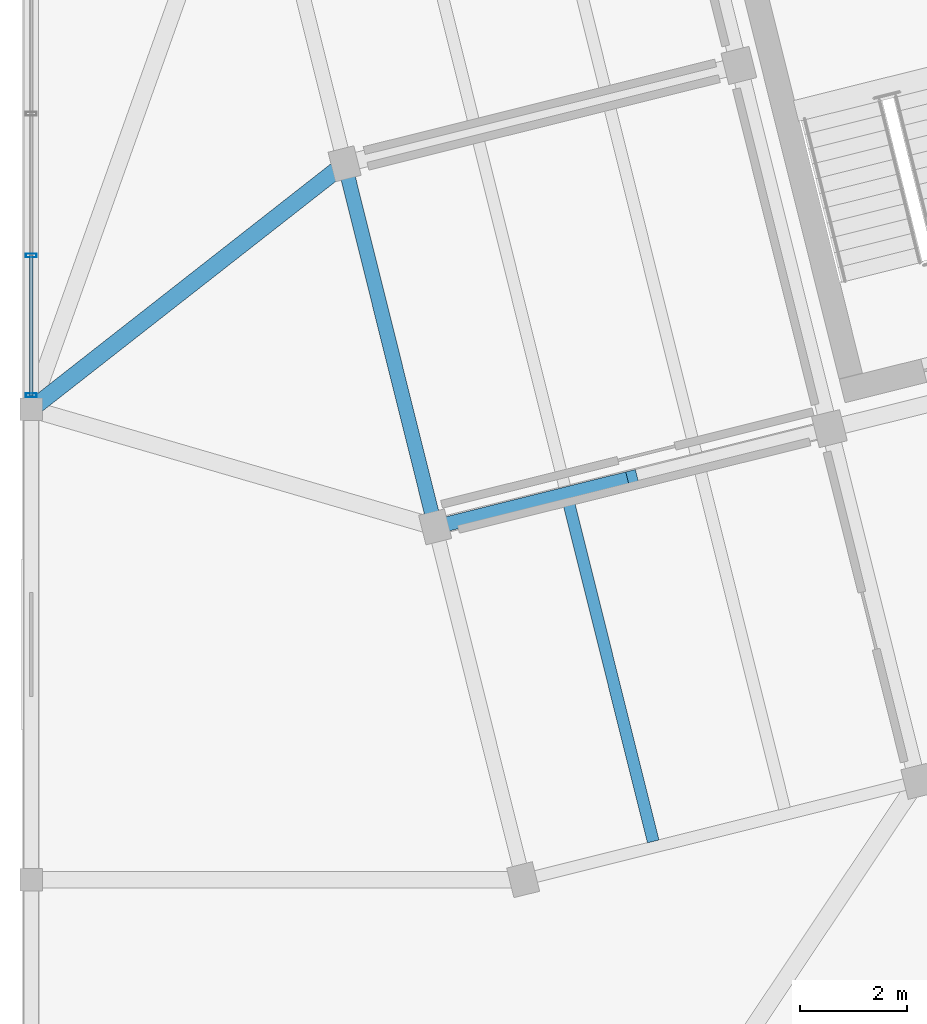
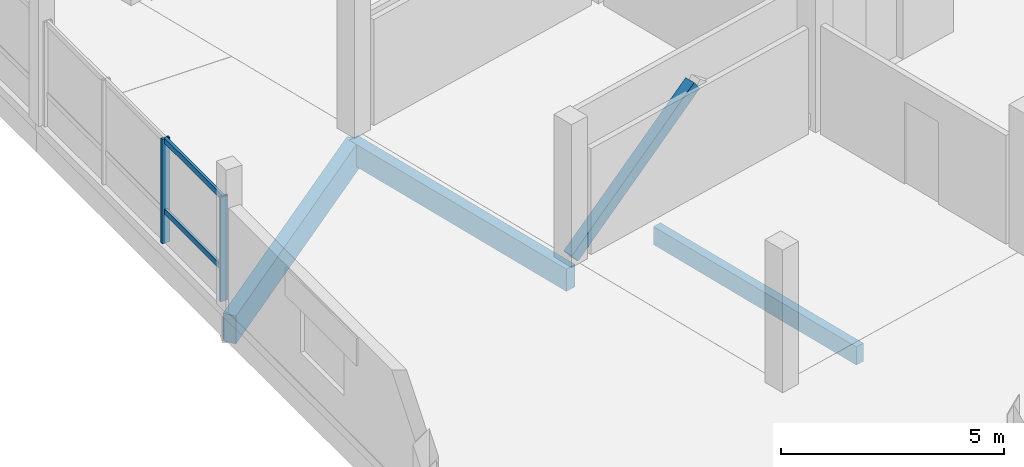
# One storey, part 17 of 47: 5 members, 3 beams, 1 element without a shape of its own.
"""IFC4 building model written with IfcOpenShell, lengths in metres."""

from ifc_helpers import new_model, si_unit, direction, frame, origin, origin_2d, place, context, subcontext, project, spatial, rectangle, hollow_rectangle, extrude, material, layer, layer_set, material_profile, profile_set, type_object, element, aggregate, save


model = new_model("IFC4")

# Units and contexts
model_context = context("Model", 3, precision=1e-05, world=origin(), true_north=direction((0.0, 1.0)))
body_context = subcontext(model_context, "Body", "Model", "MODEL_VIEW")
ifc_project = project(units=[si_unit("LENGTHUNIT", "METRE"), si_unit("AREAUNIT", "SQUARE_METRE"), si_unit("VOLUMEUNIT", "CUBIC_METRE"), si_unit("PLANEANGLEUNIT", "RADIAN"), si_unit("MASSUNIT", "GRAM", prefix="KILO")], contexts=[model_context])

# Site, building, storey
site_placement = place(None, origin())
site = spatial("IfcSite", under=ifc_project, at=site_placement, CompositionType="ELEMENT")
building_placement = place(site_placement, origin())
building = spatial("IfcBuilding", under=site, at=building_placement, Name="Meriwether Solvik Hall", CompositionType="ELEMENT")
storey_placement = place(building_placement, frame((0.0, 0.0, 18.300048828125)))
storey = spatial("IfcBuildingStorey", under=building, at=storey_placement, Name="L04", CompositionType="ELEMENT", Elevation=18.300048828125)

# Beams
ifc_material_1 = material(Name="Glulam Douglas-Fir 24F-V8 GL28h", Category="wood")
ifc_material_profile_1 = material_profile(ifc_material_1, rectangle(XDim=0.27294921875, YDim=0.610107421875, at=origin_2d()), Name="GLB-273X610")
ifc_profile_set_1 = profile_set([ifc_material_profile_1], Name="Glulam Douglas-Fir 24F-V8 GL28h")
beam_type_1 = type_object("IfcBeamType", Name="BM-GL-273X610", PredefinedType="SPANDREL", material=ifc_profile_set_1)
beam_1_placement = place(storey_placement, frame((66.954833984375, 47.798095703125, -0.550048828125), z_axis=(-0.241911879182, 0.970298223594, 0.0), x_axis=(-0.970298223594, -0.241911879182, 0.0)))
element("IfcBeam", 1, at=beam_1_placement, inside=storey, type_object=beam_type_1, Name="Tower Girder T1:TB-TC (L04)", PredefinedType="SPANDREL", context=body_context, shape_type="SweptSolid", body=[
    extrude(rectangle(XDim=0.27294921875, YDim=0.610107421875, at=origin_2d()), origin(), (0.0, 0.0, 1.0), 7.0),
])
ifc_material_2 = material(Name="Glulam Douglas-Fir 24F-V8 GL28h", Category="wood")
ifc_material_profile_2 = material_profile(ifc_material_2, rectangle(XDim=0.31494140625, YDim=0.760009765625, at=origin_2d()), Name="GLB-315X760")
ifc_profile_set_2 = profile_set([ifc_material_profile_2], Name="Glulam Douglas-Fir 24F-V8 GL28h")
beam_type_2 = type_object("IfcBeamType", Name="BM-GL-315X760", PredefinedType="BEAM", material=ifc_profile_set_2)
beam_2_placement = place(storey_placement, frame((65.261474609375, 54.590087890625, -0.625), z_axis=(-0.787324356442, -0.616539015597, 0.0), x_axis=(0.616539015597, -0.787324356442, 0.0)))
element("IfcBeam", 2, at=beam_2_placement, inside=storey, type_object=beam_type_2, Name="Diaphragm Collector Girder T1/TC-7/F (L04)", PredefinedType="BEAM", context=body_context, shape_type="SweptSolid", body=[
    extrude(rectangle(XDim=0.31494140625, YDim=0.760009765625, at=origin_2d()), origin(), (0.0, 0.0, 1.0), 7.44482421875),
])

# Curtain wall, members
ifc_material_3 = material(Name="Thermally Broken Anodised Aluminium 6063-T6 and Low-E Glass", Category="aluminium")
ifc_layer = layer(ifc_material_3, 0.179931640625)
ifc_layer_set = layer_set([ifc_layer], Name="Thermally Broken Anodised Aluminium 6063-T6 and Low-E Glass")
curtain_wall_type = type_object("IfcCurtainWallType", Name="CW-UNIT-E", PredefinedType="USERDEFINED", material=ifc_layer_set)
curtain_wall_placement = place(storey_placement, origin())
curtain_wall = element("IfcCurtainWall", 3, at=curtain_wall_placement, inside=storey, type_object=curtain_wall_type, Name="Curtain Wall wing_Y7_6_17 (L04)", ObjectType="UNITISED CURTAIN WALL", PredefinedType="USERDEFINED")
ifc_material_4 = material(Name="Anodised Aluminium 6063-T6", Category="aluminium")
ifc_material_profile_3 = material_profile(ifc_material_4, hollow_rectangle(XDim=0.070068359375, YDim=0.199951171875, WallThickness=0.0048828125, at=origin_2d()), Name="CWM-70X200")
ifc_profile_set_3 = profile_set([ifc_material_profile_3], Name="Anodised Aluminium 6063-T6")
member_type_1 = type_object("IfcMemberType", Name="CW-MUL-70X200", PredefinedType="MULLION", material=ifc_profile_set_3)
member_1_placement = place(storey_placement, frame((59.39990234375, 50.260009765625, 0.0), z_axis=(0.0, 0.0, 1.0), x_axis=(0.0, 1.0, 0.0)))
member_1 = element("IfcMember", 4, at=member_1_placement, type_object=member_type_1, Name="Curtain Wall Mullion 1", PredefinedType="MULLION", context=body_context, shape_type="SweptSolid", body=[
    extrude(hollow_rectangle(XDim=0.070068359375, YDim=0.199951171875, WallThickness=0.0048828125, at=origin_2d()), origin(), (0.0, 0.0, 1.0), 2.85498046875),
])
member_2_placement = place(storey_placement, frame((59.39990234375, 52.8740234375, 0.0), z_axis=(0.0, 0.0, 1.0), x_axis=(0.0, 1.0, 0.0)))
member_2 = element("IfcMember", 5, at=member_2_placement, type_object=member_type_1, Name="Curtain Wall Mullion 2", PredefinedType="MULLION", context=body_context, shape_type="SweptSolid", body=[
    extrude(hollow_rectangle(XDim=0.070068359375, YDim=0.199951171875, WallThickness=0.0048828125, at=origin_2d()), origin(), (0.0, 0.0, 1.0), 2.85498046875),
])
ifc_material_5 = material(Name="Anodised Aluminium 6063-T6", Category="aluminium")
ifc_material_profile_4 = material_profile(ifc_material_5, hollow_rectangle(XDim=0.070068359375, YDim=0.14990234375, WallThickness=0.0048828125, at=origin_2d()), Name="CWT-70X150")
ifc_profile_set_4 = profile_set([ifc_material_profile_4], Name="Anodised Aluminium 6063-T6")
member_type_2 = type_object("IfcMemberType", Name="CW-TRN-70X150", PredefinedType="USERDEFINED", material=ifc_profile_set_4)
member_3_placement = place(storey_placement, frame((59.39990234375, 50.260009765625, 0.8564453125), z_axis=(0.0, 1.0, 0.0), x_axis=(-1.0, 0.0, 0.0)))
member_3 = element("IfcMember", 6, at=member_3_placement, type_object=member_type_2, Name="Curtain Wall Transom 1-sill", ObjectType="TRANSOM", PredefinedType="USERDEFINED", context=body_context, shape_type="SweptSolid", body=[
    extrude(hollow_rectangle(XDim=0.070068359375, YDim=0.14990234375, WallThickness=0.0048828125, at=origin_2d()), origin(), (0.0, 0.0, 1.0), 2.614013671875),
])
member_4_placement = place(storey_placement, frame((59.39990234375, 50.260009765625, 2.794921875), z_axis=(0.0, 1.0, 0.0), x_axis=(-1.0, 0.0, 0.0)))
member_4 = element("IfcMember", 7, at=member_4_placement, type_object=member_type_2, Name="Curtain Wall Transom 1-head", ObjectType="TRANSOM", PredefinedType="USERDEFINED", context=body_context, shape_type="SweptSolid", body=[
    extrude(hollow_rectangle(XDim=0.070068359375, YDim=0.14990234375, WallThickness=0.0048828125, at=origin_2d()), origin(), (0.0, 0.0, 1.0), 2.614013671875),
])
aggregate(curtain_wall, [member_1, member_2, member_3, member_4])

# Beam
ifc_material_6 = material(Name="Glulam Douglas-Fir 24F-V8 GL28h", Category="wood")
ifc_material_profile_5 = material_profile(ifc_material_6, rectangle(XDim=0.221923828125, YDim=0.4951171875, at=origin_2d()), Name="GLJ-222X495")
ifc_profile_set_5 = profile_set([ifc_material_profile_5], Name="Glulam Douglas-Fir 24F-V8 GL28h")
beam_type_3 = type_object("IfcBeamType", Name="JST-GL-222X495", PredefinedType="JOIST", material=ifc_profile_set_5)
beam_3_placement = place(storey_placement, frame((71.032470703125, 41.915771484375, -0.492431640625), z_axis=(-0.241920861923, 0.970295984, 0.0), x_axis=(-0.970295984, -0.241920861923, 0.0)))
element("IfcBeam", 8, at=beam_3_placement, inside=storey, type_object=beam_type_3, Name="Glulam Floor Joist T1/TA-J1 (L04)", PredefinedType="JOIST", context=body_context, shape_type="SweptSolid", body=[
    extrude(rectangle(XDim=0.221923828125, YDim=0.4951171875, at=origin_2d()), origin(), (0.0, 0.0, 1.0), 6.54150390625),
])

# Member
ifc_material_7 = material(Name="Glulam Douglas-Fir 24F-V8 GL28h", Category="wood")
ifc_material_profile_6 = material_profile(ifc_material_7, rectangle(XDim=0.27294921875, YDim=0.304931640625, at=origin_2d()), Name="GLM-273X305")
ifc_profile_set_6 = profile_set([ifc_material_profile_6], Name="Glulam Douglas-Fir 24F-V8 GL28h")
member_type_3 = type_object("IfcMemberType", Name="MEM-BR-GL273", PredefinedType="BRACE", material=ifc_profile_set_6)
member_5_placement = place(storey_placement, frame((66.954833984375, 47.798095703125, 0.050048828125), z_axis=(0.772820339626, 0.192655007528, 0.604675756695), x_axis=(-0.241885553952, 0.970304786544, 0.0)))
element("IfcMember", 9, at=member_5_placement, inside=storey, type_object=member_type_3, Name="Tower Chevron Brace L04-B1A", PredefinedType="BRACE", context=body_context, shape_type="SweptSolid", body=[
    extrude(rectangle(XDim=0.27294921875, YDim=0.304931640625, at=origin_2d()), origin(), (0.0, 0.0, 1.0), 4.771240234375),
])

save(model, "model.ifc")
